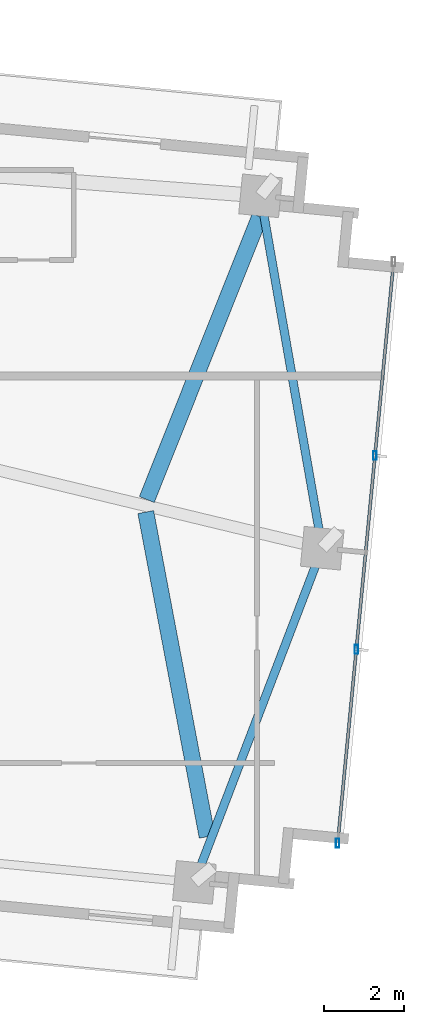
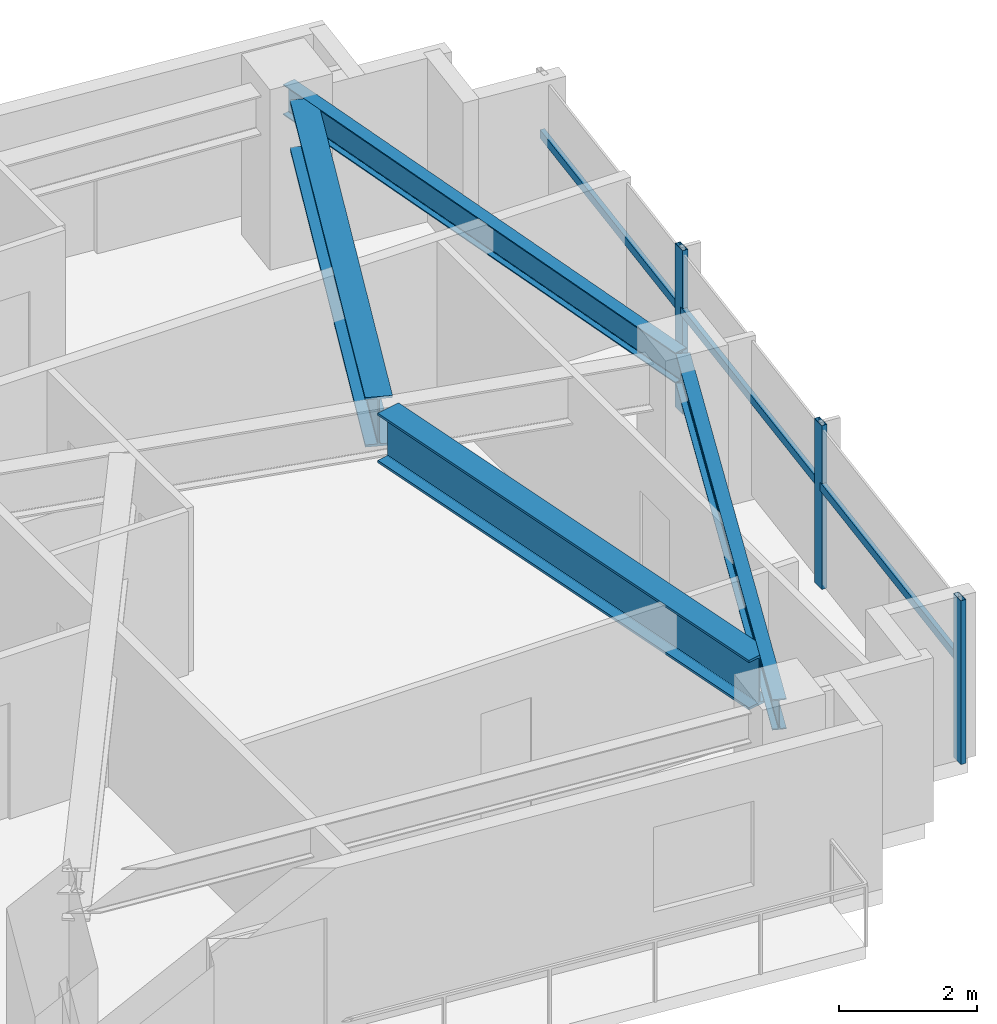
# One storey, part 11 of 20: 6 members, 4 beams, 1 element without a shape of its own.
"""IFC4 building model written with IfcOpenShell, lengths in metres."""

from ifc_helpers import new_model, si_unit, direction, frame, origin, origin_2d, place, context, subcontext, project, spatial, hollow_rectangle, i_section, extrude, source, transform, mapped, material, material_profile, profile_set, type_object, type_shapes, element, aggregate, save


model = new_model("IFC4")

# Units and contexts
model_context = context("Model", 3, precision=1e-05, world=origin(), true_north=direction((0.0, 1.0)))
body_context = subcontext(model_context, "Body", "Model", "MODEL_VIEW")
ifc_project = project(units=[si_unit("LENGTHUNIT", "METRE"), si_unit("AREAUNIT", "SQUARE_METRE"), si_unit("VOLUMEUNIT", "CUBIC_METRE"), si_unit("PLANEANGLEUNIT", "RADIAN"), si_unit("MASSUNIT", "GRAM", prefix="KILO")], contexts=[model_context])

# Site, building, storey
site_placement = place(None, origin())
site = spatial("IfcSite", under=ifc_project, at=site_placement, CompositionType="ELEMENT")
building_placement = place(site_placement, origin())
building = spatial("IfcBuilding", under=site, at=building_placement, Name="Astriad Promenade Condominiums", CompositionType="ELEMENT")
storey_placement = place(building_placement, frame((0.0, 0.0, 159.800048828125)))
storey = spatial("IfcBuildingStorey", under=building, at=storey_placement, Name="L46", CompositionType="ELEMENT", Elevation=159.800048828125)

# Beams
ifc_material_1 = material(Name="Steel ASTM A992 Grade 50", Category="steel")
ifc_material_profile_1 = material_profile(ifc_material_1, i_section(OverallWidth=0.210693359375, OverallDepth=0.53955078125, WebThickness=0.01171875, FlangeThickness=0.018798828125, FilletRadius=0.0166015625, at=origin_2d()), Name="W21X73")
ifc_profile_set_1 = profile_set([ifc_material_profile_1], Name="Steel ASTM A992 Grade 50")
beam_type_1 = type_object("IfcBeamType", Name="STEEL SPANDREL BEAM W21X73", PredefinedType="SPANDREL", material=ifc_profile_set_1)
shared_shape_1 = source(origin(), body_context, "Body", "SweptSolid", [
    extrude(i_section(OverallWidth=0.210693359375, OverallDepth=0.53955078125, WebThickness=0.01171875, FlangeThickness=0.018798828125, FilletRadius=0.0166015625, at=origin_2d()), origin(), (0.0, 0.0, 1.0), 8.8623046875),
])
type_shapes(beam_type_1, [shared_shape_1])
for number, where, z_axis, x_axis, name in (
    (1, (55.081298828125, 6.033447265625, 2.63037109375), (0.357298632827, 0.933990196405, 0.0), (-0.933990196405, 0.357298632827, 0.0), "Perimeter Spandrel Beam SP-E1-L46"),
    (2, (58.25537109375, 14.3876953125, 2.63037109375), (-0.172532686951, 0.985003792852, 0.0), (-0.985003792852, -0.172532686951, 0.0), "Perimeter Spandrel Beam SP-E2-L46"),
):
    element("IfcBeam", number, at=place(storey_placement, frame(where, z_axis=z_axis, x_axis=x_axis)), inside=storey, type_object=beam_type_1, Name=name, PredefinedType="SPANDREL", context=body_context, shape_type="MappedRepresentation", body=[
        mapped(shared_shape_1, transform((0.0, 0.0, 0.0), scale=1.0)),
    ])
ifc_material_profile_2 = material_profile(ifc_material_1, i_section(OverallWidth=0.4013671875, OverallDepth=0.877197265625, WebThickness=0.022216796875, FlangeThickness=0.039794921875, FilletRadius=0.02294921875, at=origin_2d()), Name="W33X263")
ifc_profile_set_2 = profile_set([ifc_material_profile_2], Name="Steel ASTM A992 Grade 50")
beam_type_2 = type_object("IfcBeamType", Name="STEEL TRANSFER CARRIER GIRDER W33X263", PredefinedType="BEAM", material=ifc_profile_set_2)
shared_shape_2 = source(origin(), body_context, "Body", "SweptSolid", [
    extrude(i_section(OverallWidth=0.4013671875, OverallDepth=0.877197265625, WebThickness=0.022216796875, FlangeThickness=0.039794921875, FilletRadius=0.02294921875, at=origin_2d()), origin(), (0.0, 0.0, 1.0), 8.258544921875),
])
beam_1_placement = place(storey_placement, frame((53.850341796875, 15.251953125, 2.46142578125), z_axis=(0.185855414047, -0.98257710388, 0.0), x_axis=(0.98257710388, 0.185855414047, 0.0)))
element("IfcBeam", 3, at=beam_1_placement, inside=storey, type_object=beam_type_2, Name="Transfer Splice Carrier TRM-SP-PC05-L46", PredefinedType="BEAM", context=body_context, shape_type="MappedRepresentation", body=[
    mapped(shared_shape_2, transform((0.0, 0.0, 0.0), scale=1.0)),
])
shared_shape_3 = source(origin(), body_context, "Body", "SweptSolid", [
    extrude(i_section(OverallWidth=0.4013671875, OverallDepth=0.877197265625, WebThickness=0.022216796875, FlangeThickness=0.039794921875, FilletRadius=0.02294921875, at=origin_2d()), origin(), (0.0, 0.0, 1.0), 7.613525390625),
])
type_shapes(beam_type_2, [shared_shape_2, shared_shape_3])
beam_2_placement = place(storey_placement, frame((53.877197265625, 15.565673828125, 2.46142578125), z_axis=(0.37049485663, 0.928834517668, 0.0), x_axis=(-0.928834517668, 0.37049485663, 0.0)))
element("IfcBeam", 4, at=beam_2_placement, inside=storey, type_object=beam_type_2, Name="Transfer Splice Carrier TRM-SP-PC10-L46", PredefinedType="BEAM", context=body_context, shape_type="MappedRepresentation", body=[
    mapped(shared_shape_3, transform((0.0, 0.0, 0.0), scale=1.0)),
])

# Curtain wall, members
ifc_material_2 = material(Name="Anodised aluminium Black Dark Glass Unitised", Category="aluminium")
curtain_wall_type = type_object("IfcCurtainWallType", Name="CW-B34-DARK", PredefinedType="USERDEFINED", material=ifc_material_2)
curtain_wall_placement = place(storey_placement, origin())
curtain_wall = element("IfcCurtainWall", 5, at=curtain_wall_placement, inside=storey, type_object=curtain_wall_type, Name="CW-L46-E", ObjectType="UNITISED_CURTAIN_WALL", PredefinedType="USERDEFINED")
ifc_material_3 = material(Name="Anodised aluminium 6063-T6 Black", Category="aluminium")
ifc_material_profile_3 = material_profile(ifc_material_3, hollow_rectangle(XDim=0.074951171875, YDim=0.14990234375, WallThickness=0.004150390625, at=origin_2d()), Name="ALU-TRN-75X150")
ifc_profile_set_3 = profile_set([ifc_material_profile_3], Name="Anodised aluminium 6063-T6 Black")
member_type_1 = type_object("IfcMemberType", Name="TRN-ALU-TRN-75X150", PredefinedType="USERDEFINED", material=ifc_profile_set_3)
shared_shape_4 = source(origin(), body_context, "Body", "SweptSolid", [
    extrude(hollow_rectangle(XDim=0.074951171875, YDim=0.14990234375, WallThickness=0.004150390625, at=origin_2d()), origin(), (0.0, 0.0, 1.0), 4.86669921875),
])
member_1_placement = place(storey_placement, frame((60.046875, 21.51025390625, 1.7978515625), z_axis=(-0.095867260207, -0.995394127178, 0.0), x_axis=(0.995394127178, -0.095867260207, 0.0)))
member_1 = element("IfcMember", 6, at=member_1_placement, type_object=member_type_1, Name="CW-L46-E-TRN-00-0", ObjectType="TRANSOM", PredefinedType="USERDEFINED", context=body_context, shape_type="MappedRepresentation", body=[
    mapped(shared_shape_4, transform((0.0, 0.0, 0.0), scale=1.0)),
])
member_2_placement = place(storey_placement, frame((59.580322265625, 16.666015625, 1.7978515625), z_axis=(-0.095817554883, -0.995398913088, 0.0), x_axis=(0.995398913088, -0.095817554883, 0.0)))
member_2 = element("IfcMember", 7, at=member_2_placement, type_object=member_type_1, Name="CW-L46-E-TRN-01-0", ObjectType="TRANSOM", PredefinedType="USERDEFINED", context=body_context, shape_type="MappedRepresentation", body=[
    mapped(shared_shape_4, transform((0.0, 0.0, 0.0), scale=1.0)),
])
shared_shape_5 = source(origin(), body_context, "Body", "SweptSolid", [
    extrude(hollow_rectangle(XDim=0.074951171875, YDim=0.14990234375, WallThickness=0.004150390625, at=origin_2d()), origin(), (0.0, 0.0, 1.0), 4.866943359375),
])
type_shapes(member_type_1, [shared_shape_4, shared_shape_5])
member_3_placement = place(storey_placement, frame((59.114013671875, 11.82177734375, 1.7978515625), z_axis=(-0.095862473318, -0.995394588196, 0.0), x_axis=(0.995394588196, -0.095862473318, 0.0)))
member_3 = element("IfcMember", 8, at=member_3_placement, type_object=member_type_1, Name="CW-L46-E-TRN-02-0", ObjectType="TRANSOM", PredefinedType="USERDEFINED", context=body_context, shape_type="MappedRepresentation", body=[
    mapped(shared_shape_5, transform((0.0, 0.0, 0.0), scale=1.0)),
])
ifc_material_profile_4 = material_profile(ifc_material_3, hollow_rectangle(XDim=0.0849609375, YDim=0.219970703125, WallThickness=0.0048828125, at=origin_2d()), Name="ALU-MUL-85X220")
ifc_profile_set_4 = profile_set([ifc_material_profile_4], Name="Anodised aluminium 6063-T6 Black")
member_type_2 = type_object("IfcMemberType", Name="MUL-ALU-MUL-85X220", PredefinedType="MULLION", material=ifc_profile_set_4)
shared_shape_6 = source(origin(), body_context, "Body", "SweptSolid", [
    extrude(hollow_rectangle(XDim=0.0849609375, YDim=0.219970703125, WallThickness=0.0048828125, at=origin_2d()), origin(), (0.0, 0.0, 1.0), 2.89990234375),
])
type_shapes(member_type_2, [shared_shape_6])
member_4_placement = place(storey_placement, frame((59.580322265625, 16.666015625, 0.0), z_axis=(0.0, 0.0, 1.0), x_axis=(1.0, 0.0, 0.0)))
member_4 = element("IfcMember", 9, at=member_4_placement, type_object=member_type_2, Name="CW-L46-E-MUL-01", PredefinedType="MULLION", context=body_context, shape_type="MappedRepresentation", body=[
    mapped(shared_shape_6, transform((0.0, 0.0, 0.0), scale=1.0)),
])
member_5_placement = place(storey_placement, frame((59.114013671875, 11.82177734375, 0.0), z_axis=(0.0, 0.0, 1.0), x_axis=(1.0, 0.0, 0.0)))
member_5 = element("IfcMember", 10, at=member_5_placement, type_object=member_type_2, Name="CW-L46-E-MUL-02", PredefinedType="MULLION", context=body_context, shape_type="MappedRepresentation", body=[
    mapped(shared_shape_6, transform((0.0, 0.0, 0.0), scale=1.0)),
])
member_6_placement = place(storey_placement, frame((58.6474609375, 6.977294921875, 0.0), z_axis=(0.0, 0.0, 1.0), x_axis=(1.0, 0.0, 0.0)))
member_6 = element("IfcMember", 11, at=member_6_placement, type_object=member_type_2, Name="CW-L46-E-MUL-03", PredefinedType="MULLION", context=body_context, shape_type="MappedRepresentation", body=[
    mapped(shared_shape_6, transform((0.0, 0.0, 0.0), scale=1.0)),
])
aggregate(curtain_wall, [member_4, member_5, member_6, member_1, member_2, member_3])

save(model, "model.ifc")
